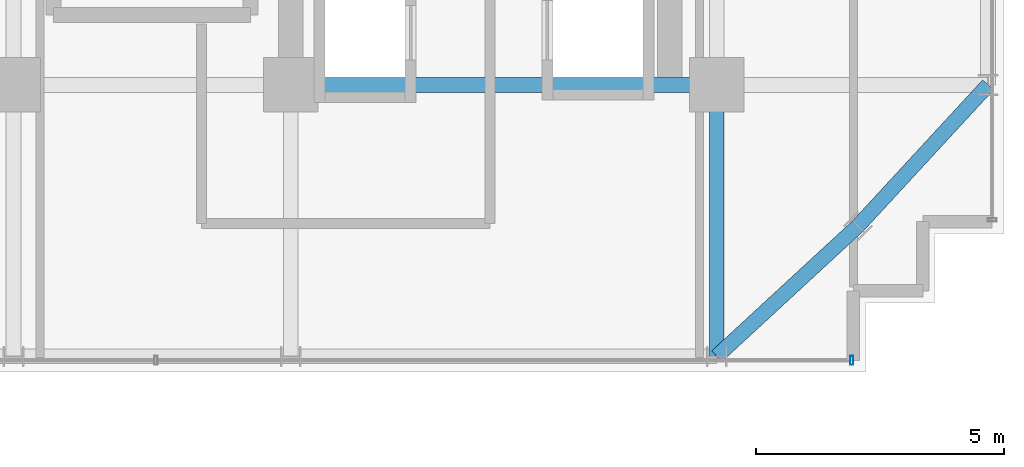
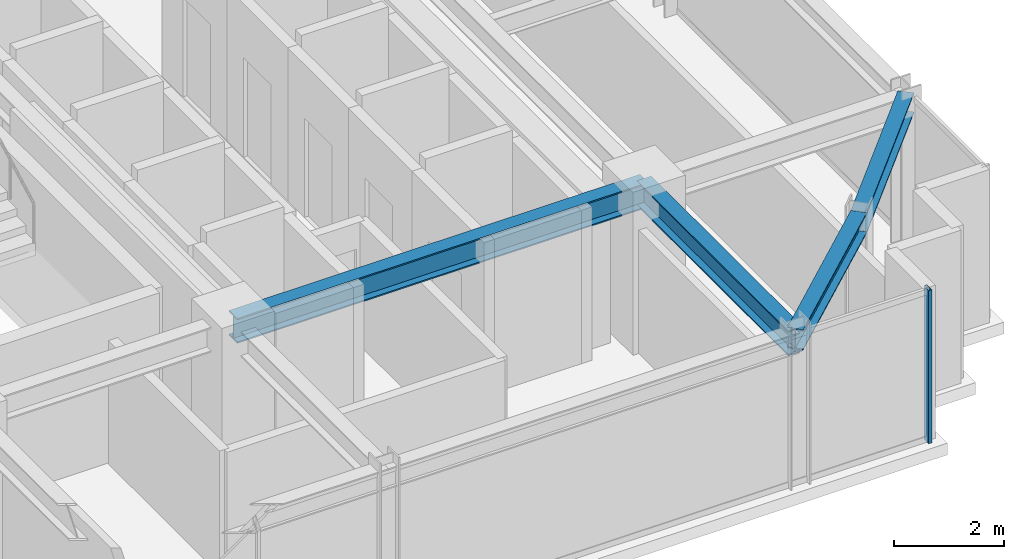
# One storey, part 12 of 31: 4 beams, 1 member, 1 element without a shape of its own.
"""IFC4 building model written with IfcOpenShell, lengths in metres."""

import ifcopenshell
import ifcopenshell.guid

model = None  # the IFC model being written
_history = None  # IfcOwnerHistory: only IFC2X3 demands one
_inside = {}  # id of a spatial element -> (the spatial element, [elements in it])
_under = {}  # id of a project, library or spatial element -> (it, [spatial elements below it])
_declared = {}  # id of a project -> (the project, [libraries it declares])
_typed = {}  # id of a type object -> (the type object, [elements of that type])
_made_of = {}  # id of a material, layer set ... -> (it, [elements and type objects made of it])


def new_model(schema):
    """Start an empty IFC model of exactly this schema.

    Asked for "IFC4X3", IfcOpenShell would pick the latest addendum, in which some entities
    have other attributes; the version numbers below select the first issue.
    IFC2X3 requires an IfcOwnerHistory on every rooted entity: one is made here for all.
    """
    global model, _history
    if schema == "IFC4X3":
        model = ifcopenshell.file(schema_version=(4, 3, 0, 0))
    else:
        model = ifcopenshell.file(schema=schema)
    _inside.clear()
    _under.clear()
    _declared.clear()
    _typed.clear()
    _made_of.clear()
    _history = None
    if model.schema == "IFC2X3":
        org = make("IfcOrganization", Name="unknown")
        user = make(
            "IfcPersonAndOrganization",
            ThePerson=make("IfcPerson", FamilyName="unknown"),
            TheOrganization=org,
        )
        app = make(
            "IfcApplication",
            ApplicationDeveloper=org,
            Version="unknown",
            ApplicationFullName="unknown",
            ApplicationIdentifier="unknown",
        )
        _history = make(
            "IfcOwnerHistory",
            OwningUser=user,
            OwningApplication=app,
            ChangeAction="ADDED",
            CreationDate=0,
        )
    return model


def make(cls, **values):
    """One entity of the class cls with the attributes given. An attribute that is None is left unset."""
    return model.create_entity(
        cls, **{name: value for name, value in values.items() if value is not None}
    )


def rooted(cls, **values):
    """An entity with a GlobalId (a new one), such as an element, a storey or a relation."""
    return make(cls, GlobalId=ifcopenshell.guid.new(), OwnerHistory=_history, **values)


def si_unit(unit_type, name, prefix=None):
    """IfcSIUnit, for example si_unit("LENGTHUNIT", "METRE", prefix="MILLI")."""
    return make("IfcSIUnit", UnitType=unit_type, Prefix=prefix, Name=name)


def assignment(units):
    """IfcUnitAssignment: the units of a project."""
    return None if units is None else make("IfcUnitAssignment", Units=units)


def point(xyz):
    """IfcCartesianPoint."""
    return None if xyz is None else make("IfcCartesianPoint", Coordinates=xyz)


def direction(xyz):
    """IfcDirection."""
    return None if xyz is None else make("IfcDirection", DirectionRatios=xyz)


def frame(location, z_axis=None, x_axis=None):
    """IfcAxis2Placement3D, a coordinate frame: its origin and axes. An axis left out is left unset."""
    return make(
        "IfcAxis2Placement3D",
        Location=point(location),
        Axis=direction(z_axis),
        RefDirection=direction(x_axis),
    )


def frame_2d(location, x_axis=None):
    """IfcAxis2Placement2D, a coordinate frame in the plane: its origin and x axis."""
    return make(
        "IfcAxis2Placement2D", Location=point(location), RefDirection=direction(x_axis)
    )


def origin():
    """The frame at (0, 0, 0) with its axes left unset."""
    return frame((0.0, 0.0, 0.0))


def origin_2d():
    """The frame at (0, 0) in the plane with its x axis left unset."""
    return frame_2d((0.0, 0.0))


def place(relative_to, where):
    """IfcLocalPlacement: puts the frame where relative to a parent placement (None: the world)."""
    return make(
        "IfcLocalPlacement", PlacementRelTo=relative_to, RelativePlacement=where
    )


def context(
    kind, dimensions, precision=None, world=None, true_north=None, identifier=None
):
    """IfcGeometricRepresentationContext, for example the 3D "Model" context."""
    return make(
        "IfcGeometricRepresentationContext",
        ContextIdentifier=identifier,
        ContextType=kind,
        CoordinateSpaceDimension=dimensions,
        Precision=precision,
        WorldCoordinateSystem=world,
        TrueNorth=true_north,
    )


def subcontext(parent, identifier, kind, view, scale=None):
    """IfcGeometricRepresentationSubContext, for example "Body" below "Model"."""
    return make(
        "IfcGeometricRepresentationSubContext",
        ContextIdentifier=identifier,
        ContextType=kind,
        ParentContext=parent,
        TargetScale=scale,
        TargetView=view,
    )


def project(units=None, contexts=None):
    """IfcProject with its units and contexts."""
    return rooted(
        "IfcProject",
        Name="project",
        RepresentationContexts=contexts,
        UnitsInContext=assignment(units),
    )


def spatial(cls, under=None, at=None, **own):
    """A site, building, storey or space (cls), placed at a placement, below another one or the project."""
    s = rooted(cls, ObjectPlacement=at, **own)
    if under is not None:
        _under.setdefault(under.id(), (under, []))[1].append(s)
    return s


def profile(cls, at=None, kind="AREA", **sizes):
    """A parametric profile (cls). Its sizes go by their IFC names, for example OverallWidth=200.0."""
    return make(cls, ProfileType=kind, Position=at, **sizes)


def hollow_rectangle(**sizes):
    """IfcRectangleHollowProfileDef."""
    return profile("IfcRectangleHollowProfileDef", **sizes)


def i_section(**sizes):
    """IfcIShapeProfileDef."""
    return profile("IfcIShapeProfileDef", **sizes)


def extrude(swept, where, along, depth):
    """IfcExtrudedAreaSolid: the profile swept, set in the frame where, extruded along a direction by depth."""
    return make(
        "IfcExtrudedAreaSolid",
        SweptArea=swept,
        Position=where,
        ExtrudedDirection=direction(along),
        Depth=depth,
    )


def shape(context_of_items, identifier, shape_type, items):
    """IfcShapeRepresentation: the items that make up one representation, for example the "Body"."""
    return make(
        "IfcShapeRepresentation",
        ContextOfItems=context_of_items,
        RepresentationIdentifier=identifier,
        RepresentationType=shape_type,
        Items=items,
    )


def source(mapping_origin, context_of_items, identifier, shape_type, items):
    """IfcRepresentationMap: a shape defined once, which mapped items show again and again."""
    return make(
        "IfcRepresentationMap",
        MappingOrigin=mapping_origin,
        MappedRepresentation=shape(context_of_items, identifier, shape_type, items),
    )


def transform(
    local_origin,
    x_axis=None,
    y_axis=None,
    z_axis=None,
    scale=None,
    scale2=None,
    scale3=None,
    uniform=True,
):
    """IfcCartesianTransformationOperator3D, or its non-uniform kind. x_axis, y_axis, z_axis: its Axis1, 2, 3."""
    if uniform:
        return make(
            "IfcCartesianTransformationOperator3D",
            Axis1=direction(x_axis),
            Axis2=direction(y_axis),
            LocalOrigin=point(local_origin),
            Scale=scale,
            Axis3=direction(z_axis),
        )
    return make(
        "IfcCartesianTransformationOperator3DnonUniform",
        Axis1=direction(x_axis),
        Axis2=direction(y_axis),
        LocalOrigin=point(local_origin),
        Scale=scale,
        Axis3=direction(z_axis),
        Scale2=scale2,
        Scale3=scale3,
    )


def mapped(mapping_source, mapping_target):
    """IfcMappedItem: shows the shape of a source again, moved by a transform."""
    return make(
        "IfcMappedItem", MappingSource=mapping_source, MappingTarget=mapping_target
    )


def material(Name=None, Category=None):
    """IfcMaterial."""
    return make("IfcMaterial", Name=Name, Category=Category)


def material_profile(
    of_material, cross_section, Name=None, Category=None, Priority=None
):
    """IfcMaterialProfile: a cross section and its material."""
    return make(
        "IfcMaterialProfile",
        Name=Name,
        Material=of_material,
        Profile=cross_section,
        Priority=Priority,
        Category=Category,
    )


def profile_set(profiles, Name=None, composite=None):
    """IfcMaterialProfileSet."""
    return make(
        "IfcMaterialProfileSet",
        Name=Name,
        MaterialProfiles=profiles,
        CompositeProfile=composite,
    )


def made_of(thing, what):
    """Note that an element or type object is made of a material, layer set ...; save() writes the relation."""
    if what is not None:
        _made_of.setdefault(what.id(), (what, []))[1].append(thing)
    return thing


def type_object(cls, material=None, **own):
    """A type object (cls), such as IfcWallType, which elements share."""
    return made_of(rooted(cls, **own), material)


def element(
    cls,
    number,
    at=None,
    inside=None,
    cuts=None,
    type_object=None,
    material=None,
    context=None,
    identifier="Body",
    shape_type=None,
    held_by="IfcProductDefinitionShape",
    body=None,
    shapes=None,
    **own,
):
    """One element of the class cls, such as IfcWall. Its Tag is "e" and its number.

    at: its placement. inside: the storey or other place that contains it. cuts: it is an
    opening in that element (IfcRelVoidsElement). A single representation is given by context,
    identifier, shape_type and body (its items); several are given by shapes. held_by: the class
    of the entity that holds the representations. save() writes the other relations.
    """
    e = rooted(cls, Tag="e%d" % number, ObjectPlacement=at, **own)
    if body is not None:
        shapes = [shape(context, identifier, shape_type, body)]
    if shapes is not None:
        e.Representation = make(held_by, Representations=shapes)
    if inside is not None:
        _inside.setdefault(inside.id(), (inside, []))[1].append(e)
    if cuts is not None:
        rooted(
            "IfcRelVoidsElement", RelatingBuildingElement=cuts, RelatedOpeningElement=e
        )
    if type_object is not None:
        _typed.setdefault(type_object.id(), (type_object, []))[1].append(e)
    return made_of(e, material)


def aggregate(whole, parts):
    """IfcRelAggregates: a whole, such as a stair, and the parts it consists of."""
    return rooted("IfcRelAggregates", RelatingObject=whole, RelatedObjects=parts)


def save(model, path):
    """Write the relations noted so far, then the file.

    IfcRelAggregates (storeys below a building ...), IfcRelContainedInSpatialStructure (elements
    in a storey), IfcRelDefinesByType, IfcRelAssociatesMaterial and IfcRelDeclares: one each for
    every whole, place, type object, material and project.
    """
    for whole, parts in _under.values():
        aggregate(whole, parts)
    for where, things in _inside.values():
        rooted(
            "IfcRelContainedInSpatialStructure",
            RelatedElements=things,
            RelatingStructure=where,
        )
    for kind, things in _typed.values():
        rooted("IfcRelDefinesByType", RelatedObjects=things, RelatingType=kind)
    for what, things in _made_of.values():
        rooted("IfcRelAssociatesMaterial", RelatedObjects=things, RelatingMaterial=what)
    for by, libraries in _declared.values():
        rooted("IfcRelDeclares", RelatingContext=by, RelatedDefinitions=libraries)
    model.write(path)


model = new_model("IFC4")

# Units and contexts
model_context = context("Model", 3, precision=1e-05, world=origin(), true_north=direction((0.0, 1.0)))
body_context = subcontext(model_context, "Body", "Model", "MODEL_VIEW")
ifc_project = project(units=[si_unit("LENGTHUNIT", "METRE"), si_unit("AREAUNIT", "SQUARE_METRE"), si_unit("VOLUMEUNIT", "CUBIC_METRE"), si_unit("PLANEANGLEUNIT", "RADIAN"), si_unit("MASSUNIT", "GRAM", prefix="KILO")], contexts=[model_context])

# Site, building, storey
site_placement = place(None, origin())
site = spatial("IfcSite", under=ifc_project, at=site_placement, CompositionType="ELEMENT")
building_placement = place(site_placement, origin())
building = spatial("IfcBuilding", under=site, at=building_placement, Name="Nahalor Promenade Grand Hotel", CompositionType="ELEMENT")
storey_placement = place(building_placement, frame((0.0, 0.0, 156.300048828125)))
storey = spatial("IfcBuildingStorey", under=building, at=storey_placement, Name="L39", CompositionType="ELEMENT", Elevation=156.300048828125)

# Beams
ifc_material_1 = material(Name="Steel S355JR", Category="steel")
ifc_material_profile_1 = material_profile(ifc_material_1, i_section(OverallWidth=0.3, OverallDepth=0.55, WebThickness=0.015, FlangeThickness=0.029, at=origin_2d()), Name="HEB 550")
ifc_profile_set_1 = profile_set([ifc_material_profile_1], Name="Steel S355JR")
beam_type_1 = type_object("IfcBeamType", Name="Beam-Girder-HEB550", PredefinedType="BEAM", material=ifc_profile_set_1)
shared_shape_1 = source(origin(), body_context, "Body", "SweptSolid", [
    extrude(i_section(OverallWidth=0.3, OverallDepth=0.55, WebThickness=0.015, FlangeThickness=0.029, at=origin_2d()), origin(), (0.0, 0.0, 1.0), 8.60009765625),
])
beam_1_placement = place(storey_placement, frame((8.39990234375, -17.0, 3.114990234375), z_axis=(1.0, 0.0, 0.0), x_axis=(0.0, 1.0, 0.0)))
element("IfcBeam", 1, at=beam_1_placement, inside=storey, type_object=beam_type_1, Name="BM-L39-GX-0-5", PredefinedType="BEAM", context=body_context, shape_type="MappedRepresentation", body=[
    mapped(shared_shape_1, transform((0.0, 0.0, 0.0), scale=1.0)),
])
shared_shape_2 = source(origin(), body_context, "Body", "SweptSolid", [
    extrude(i_section(OverallWidth=0.3, OverallDepth=0.55, WebThickness=0.015, FlangeThickness=0.029, at=origin_2d()), origin(), (0.0, 0.0, 1.0), 5.47998046875),
])
beam_2_placement = place(storey_placement, frame((17.0, -22.47998046875, 3.114990234375), z_axis=(0.0, 1.0, 0.0), x_axis=(-1.0, 0.0, 0.0)))
element("IfcBeam", 2, at=beam_2_placement, inside=storey, type_object=beam_type_1, Name="BM-L39-GY-5-0", PredefinedType="BEAM", context=body_context, shape_type="MappedRepresentation", body=[
    mapped(shared_shape_2, transform((0.0, 0.0, 0.0), scale=1.0)),
])
ifc_material_profile_2 = material_profile(ifc_material_1, i_section(OverallWidth=0.3, OverallDepth=0.45, WebThickness=0.014, FlangeThickness=0.026, at=origin_2d()), Name="HEB 450")
ifc_profile_set_2 = profile_set([ifc_material_profile_2], Name="Steel S355JR")
beam_type_2 = type_object("IfcBeamType", Name="Beam-Spandrel-HEB450", PredefinedType="SPANDREL", material=ifc_profile_set_2)
shared_shape_3 = source(origin(), body_context, "Body", "SweptSolid", [
    extrude(i_section(OverallWidth=0.3, OverallDepth=0.45, WebThickness=0.014, FlangeThickness=0.026, at=origin_2d()), origin(), (0.0, 0.0, 1.0), 3.878173828125),
])
for number, where, z_axis, x_axis, name in (
    (3, (17.0, -22.47998046875, 3.1650390625), (0.73492893846, 0.678144125843, 0.0), (-0.678144125843, 0.73492893846, 0.0), "BM-L39-SPC-SE-1"),
    (4, (19.85009765625, -19.85009765625, 3.1650390625), (0.678144125843, 0.73492893846, 0.0), (-0.73492893846, 0.678144125843, 0.0), "BM-L39-SPC-SE-2"),
):
    element("IfcBeam", number, at=place(storey_placement, frame(where, z_axis=z_axis, x_axis=x_axis)), inside=storey, type_object=beam_type_2, Name=name, PredefinedType="SPANDREL", context=body_context, shape_type="MappedRepresentation", body=[
        mapped(shared_shape_3, transform((0.0, 0.0, 0.0), scale=1.0)),
    ])

# Curtain wall, member
ifc_material_2 = material(Name="Anodised Bronze Aluminium EN AW-6063 T6", Category="aluminium")
curtain_wall_type = type_object("IfcCurtainWallType", Name="CW2 Typical Hotel Flush Bronze Unitised Curtain Wall", PredefinedType="USERDEFINED", material=ifc_material_2)
curtain_wall_placement = place(storey_placement, origin())
curtain_wall = element("IfcCurtainWall", 5, at=curtain_wall_placement, inside=storey, type_object=curtain_wall_type, Name="L39 Curtain Wall CW-L39-S-3", ObjectType="UNITISED_CURTAIN_WALL", PredefinedType="USERDEFINED")
ifc_material_profile_3 = material_profile(ifc_material_2, hollow_rectangle(XDim=0.065, YDim=0.18, WallThickness=0.004, at=origin_2d()), Name="CWM 65x180x4")
ifc_profile_set_3 = profile_set([ifc_material_profile_3], Name="Anodised Bronze Aluminium EN AW-6063 T6")
member_type = type_object("IfcMemberType", Name="CWM2 Typical Bronze Mullion 65x180", PredefinedType="MULLION", material=ifc_profile_set_3)
shared_shape_4 = source(origin(), body_context, "Body", "SweptSolid", [
    extrude(hollow_rectangle(XDim=0.065, YDim=0.18, WallThickness=0.004, at=origin_2d()), origin(), (0.0, 0.0, 1.0), 3.389892578125),
])
member_placement = place(storey_placement, frame((19.7275390625, -22.56005859375, 0.0), z_axis=(0.0, 0.0, 1.0), x_axis=(1.0, 0.0, 0.0)))
member = element("IfcMember", 6, at=member_placement, type_object=member_type, Name="CW-L39-S-3 Mullion 2", PredefinedType="MULLION", context=body_context, shape_type="MappedRepresentation", body=[
    mapped(shared_shape_4, transform((0.0, 0.0, 0.0), scale=1.0)),
])
aggregate(curtain_wall, [member])

save(model, "model.ifc")
